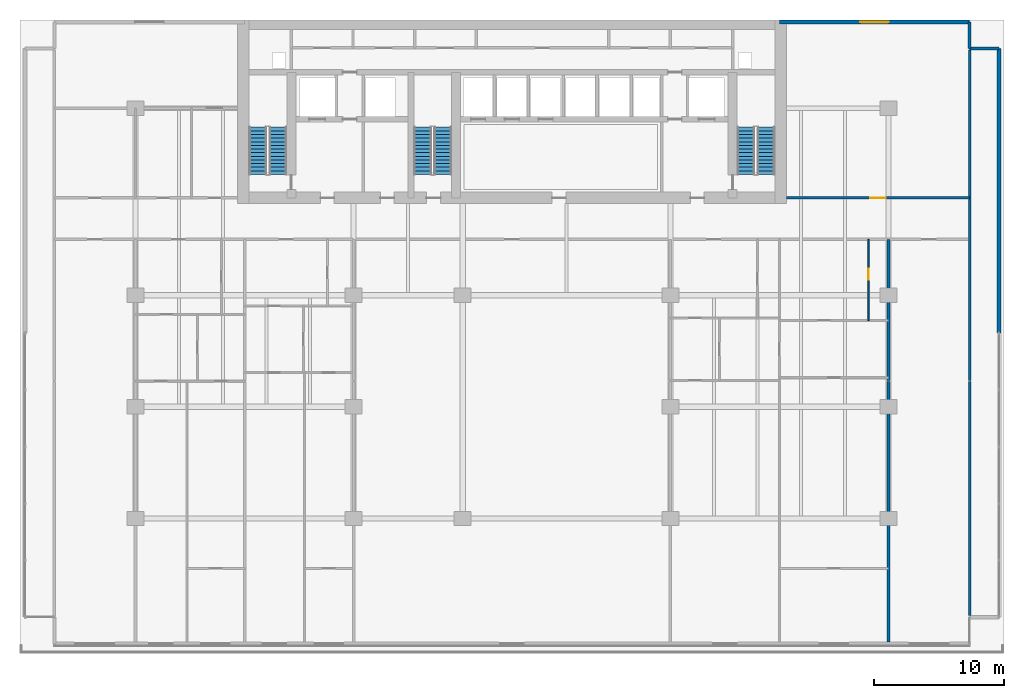
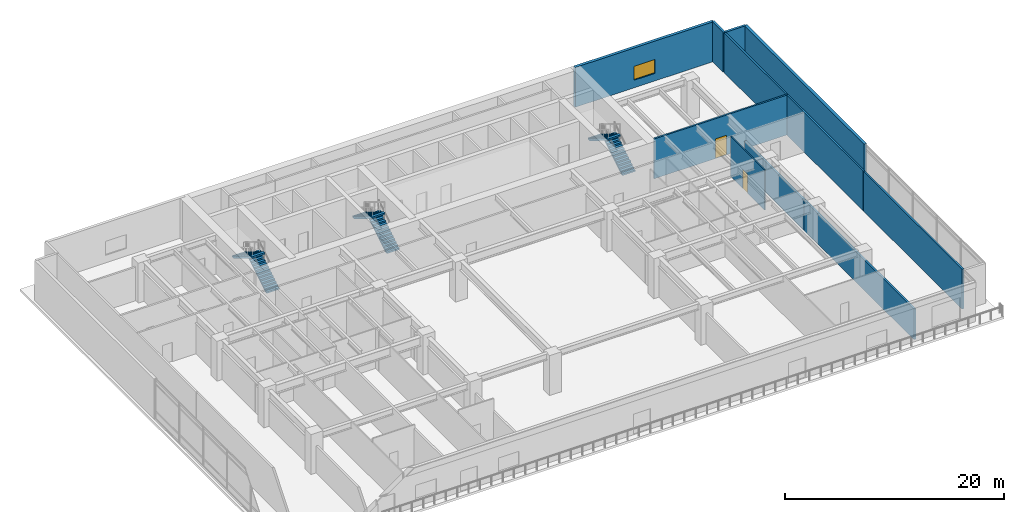
# One storey, part 10 of 13: 10 walls, 6 stair flights, 2 doors, 1 window, 3 openings, 3 elements without a shape of their own.
"""IFC4 building model written with IfcOpenShell, lengths in metres."""

from ifc_helpers import new_model, si_unit, direction, frame, frame_2d, origin, place, context, subcontext, project, spatial, polyline, rectangle, outline, extrude, material, layer, layer_set, type_object, element, fill, aggregate, save


model = new_model("IFC4")

# Units and contexts
model_context = context("Model", 3, precision=1e-05, world=origin(), true_north=direction((0.0, 1.0)))
body_context = subcontext(model_context, "Body", "Model", "MODEL_VIEW")
ifc_project = project(units=[si_unit("LENGTHUNIT", "METRE"), si_unit("AREAUNIT", "SQUARE_METRE"), si_unit("VOLUMEUNIT", "CUBIC_METRE"), si_unit("PLANEANGLEUNIT", "RADIAN"), si_unit("MASSUNIT", "GRAM", prefix="KILO")], contexts=[model_context])

# Site, building, storey
site_placement = place(None, origin())
site = spatial("IfcSite", under=ifc_project, at=site_placement, CompositionType="ELEMENT")
building_placement = place(site_placement, origin())
building = spatial("IfcBuilding", under=site, at=building_placement, Name="Caelmar Bay Residences", CompositionType="ELEMENT")
storey_placement = place(building_placement, frame((0.0, 0.0, 19.800048828125)))
storey = spatial("IfcBuildingStorey", under=building, at=storey_placement, Name="L04", CompositionType="ELEMENT", Elevation=19.800048828125)

# Walls
ifc_material_1 = material(Name="Double-stud acoustic fire-rated gypsum partition 180 mm")
ifc_layer_1 = layer(ifc_material_1, 0.179931640625)
ifc_layer_set_1 = layer_set([ifc_layer_1], Name="Double-stud acoustic fire-rated gypsum partition 180 mm")
wall_type_1 = type_object("IfcWallType", Name="W-COR-200", PredefinedType="PARTITIONING", material=ifc_layer_set_1)
wall_1_placement = place(storey_placement, frame((74.14990234375, 4.719970703125, 0.0), z_axis=(0.0, 0.0, 1.0), x_axis=(0.0, 1.0, 0.0)))
element("IfcWall", 1, at=wall_1_placement, inside=storey, type_object=wall_type_1, Name="L04 Partition Wall V047", PredefinedType="PARTITIONING", context=body_context, shape_type="SweptSolid", body=[
    extrude(rectangle(XDim=18.050048828125, YDim=0.179931640625, at=frame_2d((9.02490234375, 0.0))), origin(), (0.0, 0.0, 1.0), 4.449951171875),
])
wall_2_placement = place(storey_placement, frame((74.14990234375, 22.840087890625, 0.0), z_axis=(0.0, 0.0, 1.0), x_axis=(0.0, 1.0, 0.0)))
element("IfcWall", 2, at=wall_2_placement, inside=storey, type_object=wall_type_1, Name="L04 Partition Wall V048", PredefinedType="PARTITIONING", context=body_context, shape_type="SweptSolid", body=[
    extrude(rectangle(XDim=25.43994140625, YDim=0.179931640625, at=frame_2d((12.719970703125, 0.0))), origin(), (0.0, 0.0, 1.0), 4.449951171875),
])

# Wall, opening, door
wall_3_placement = place(storey_placement, frame((60.054931640625, 36.89990234375, 0.0), z_axis=(0.0, 0.0, 1.0), x_axis=(1.0, 0.0, 0.0)))
wall_3 = element("IfcWall", 3, at=wall_3_placement, inside=storey, type_object=wall_type_1, Name="L04 Partition Wall H063", PredefinedType="PARTITIONING", context=body_context, shape_type="SweptSolid", body=[
    extrude(rectangle(XDim=14.094970703125, YDim=0.179931640625, at=frame_2d((7.04736328125, 0.0))), origin(), (0.0, 0.0, 1.0), 4.449951171875),
])
opening_1_placement = place(wall_3_placement, frame((6.447509765625, 0.0, 0.0)))
opening_1 = element("IfcOpeningElement", 4, at=opening_1_placement, cuts=wall_3, Name="Opening D-L04-153", PredefinedType="OPENING", context=body_context, shape_type="SweptSolid", body=[
    extrude(rectangle(XDim=1.199951171875, YDim=2.199951171875, at=frame_2d((0.60009765625, 1.10009765625))), frame((0.0, 0.099853515625, 0.0), z_axis=(0.0, -1.0, 0.0), x_axis=(1.0, 0.0, 0.0)), (0.0, 0.0, 1.0), 0.199951171875),
])
ifc_material_2 = material(Name="Fire-rated steel and walnut architectural door assembly", Category="steel")
ifc_layer_2 = layer(ifc_material_2, 0.050048828125)
ifc_layer_set_2 = layer_set([ifc_layer_2], Name="Fire-rated steel and walnut architectural door assembly")
door_type_1 = type_object("IfcDoorType", Name="D-PLANT-1200", OperationType="NOTDEFINED", PredefinedType="DOOR", material=ifc_layer_set_2)
door_1_placement = place(opening_1_placement, origin())
door_1 = element("IfcDoor", 5, at=door_1_placement, inside=storey, type_object=door_type_1, Name="L04 Podium L04 East Fan Plant Room Door", OperationType="SINGLE_SWING_LEFT", OverallHeight=2.199951171875, OverallWidth=1.199951171875, PredefinedType="DOOR", context=body_context, shape_type="SweptSolid", body=[
    extrude(rectangle(XDim=1.199951171875, YDim=2.199951171875, at=frame_2d((0.60009765625, 1.10009765625))), frame((0.0, 0.02490234375, 0.0), z_axis=(0.0, -1.0, 0.0), x_axis=(1.0, 0.0, 0.0)), (0.0, 0.0, 1.0), 0.050048828125),
])
fill(opening_1, door_1)

# Walls
ifc_material_3 = material(Name="Precast concrete f'c 40 MPa (6,000 psi)", Category="concrete")
ifc_layer_3 = layer(ifc_material_3, 0.25)
ifc_layer_set_3 = layer_set([ifc_layer_3], Name="Precast concrete f'c 40 MPa (6,000 psi)")
wall_type_2 = type_object("IfcWallType", Name="W-EXT-250", PredefinedType="ELEMENTEDWALL", material=ifc_layer_set_3)
wall_4_placement = place(storey_placement, frame((74.14990234375, 50.449951171875, 0.0), z_axis=(0.0, 0.0, 1.0), x_axis=(0.0, -1.0, 0.0)))
element("IfcWall", 6, at=wall_4_placement, inside=storey, type_object=wall_type_2, Name="L04 NNE-V Notch Wall", PredefinedType="ELEMENTEDWALL", context=body_context, shape_type="SweptSolid", body=[
    extrude(rectangle(XDim=2.050048828125, YDim=0.25, at=frame_2d((1.02490234375, 0.0))), origin(), (0.0, 0.0, 1.0), 4.449951171875),
])
wall_5_placement = place(storey_placement, frame((74.14990234375, 48.39990234375, 0.0), z_axis=(0.0, 0.0, 1.0), x_axis=(1.0, 0.0, 0.0)))
element("IfcWall", 7, at=wall_5_placement, inside=storey, type_object=wall_type_2, Name="L04 NNE-H Notch Wall", PredefinedType="ELEMENTEDWALL", context=body_context, shape_type="SweptSolid", body=[
    extrude(rectangle(XDim=2.25, YDim=0.25, at=frame_2d((1.125, 0.0))), origin(), (0.0, 0.0, 1.0), 4.449951171875),
])
ifc_layer_4 = layer(ifc_material_3, 0.300048828125)
ifc_layer_set_4 = layer_set([ifc_layer_4], Name="Precast concrete f'c 40 MPa (6,000 psi)")
wall_type_3 = type_object("IfcWallType", Name="W-EXT-300", PredefinedType="STANDARD", material=ifc_layer_set_4)
wall_6_placement = place(storey_placement, frame((76.39990234375, 48.39990234375, 0.0), z_axis=(0.0, 0.0, 1.0), x_axis=(0.0, -1.0, 0.0)))
element("IfcWall", 8, at=wall_6_placement, inside=storey, type_object=wall_type_3, Name="L04 East Rear Exterior Wall", PredefinedType="STANDARD", context=body_context, shape_type="SweptSolid", body=[
    extrude(rectangle(XDim=21.89990234375, YDim=0.300048828125, at=frame_2d((10.949951171875, 0.0))), origin(), (0.0, 0.0, 1.0), 4.449951171875),
])

# Wall, opening, window
wall_7_placement = place(storey_placement, frame((59.5, 50.449951171875, 0.0), z_axis=(0.0, 0.0, 1.0), x_axis=(1.0, 0.0, 0.0)))
wall_7 = element("IfcWall", 9, at=wall_7_placement, inside=storey, type_object=wall_type_3, Name="L04 North-East Wing Exterior Wall", PredefinedType="STANDARD", context=body_context, shape_type="SweptSolid", body=[
    extrude(rectangle(XDim=14.64990234375, YDim=0.300048828125, at=frame_2d((7.324951171875, 0.0))), origin(), (0.0, 0.0, 1.0), 4.449951171875),
])
opening_2_placement = place(wall_7_placement, frame((6.22509765625, 0.0, 0.85009765625)))
opening_2 = element("IfcOpeningElement", 10, at=opening_2_placement, cuts=wall_7, Name="Opening WN2", PredefinedType="OPENING", context=body_context, shape_type="SweptSolid", body=[
    extrude(rectangle(XDim=2.199951171875, YDim=1.550048828125, at=frame_2d((1.10009765625, 0.77490234375))), frame((0.0, 0.159912109375, 0.0), z_axis=(0.0, -1.0, 0.0), x_axis=(1.0, 0.0, 0.0)), (0.0, 0.0, 1.0), 0.320068359375),
])
ifc_material_4 = material(Name="Bronze aluminium frame with laminated low-E glass", Category="aluminium")
ifc_layer_5 = layer(ifc_material_4, 0.06005859375)
ifc_layer_set_5 = layer_set([ifc_layer_5], Name="Bronze aluminium frame with laminated low-E glass")
window_type = type_object("IfcWindowType", Name="WIN-BR-2200", PartitioningType="SINGLE_PANEL", PredefinedType="WINDOW", material=ifc_layer_set_5)
window_placement = place(opening_2_placement, origin())
window = element("IfcWindow", 11, at=window_placement, inside=storey, type_object=window_type, Name="L04 North-East Studio Window", OverallHeight=1.550048828125, OverallWidth=2.199951171875, PartitioningType="SINGLE_PANEL", PredefinedType="WINDOW", context=body_context, shape_type="SweptSolid", body=[
    extrude(rectangle(XDim=2.199951171875, YDim=1.550048828125, at=frame_2d((1.10009765625, 0.77490234375))), frame((0.0, 0.030029296875, 0.0), z_axis=(0.0, -1.0, 0.0), x_axis=(1.0, 0.0, 0.0)), (0.0, 0.0, 1.0), 0.06005859375),
])
fill(opening_2, window)

# Wall, opening, door
ifc_material_5 = material(Name="Acoustic metal-stud gypsum partition 120 mm")
ifc_layer_6 = layer(ifc_material_5, 0.1201171875)
ifc_layer_set_6 = layer_set([ifc_layer_6], Name="Acoustic metal-stud gypsum partition 120 mm")
wall_type_4 = type_object("IfcWallType", Name="W-PRT-120", PredefinedType="PARTITIONING", material=ifc_layer_set_6)
wall_8_placement = place(storey_placement, frame((66.365966796875, 27.43994140625, 0.0), z_axis=(0.0, 0.0, 1.0), x_axis=(0.0, 1.0, 0.0)))
wall_8 = element("IfcWall", 12, at=wall_8_placement, inside=storey, type_object=wall_type_4, Name="L04 Partition Wall V044", PredefinedType="PARTITIONING", context=body_context, shape_type="SweptSolid", body=[
    extrude(rectangle(XDim=6.260009765625, YDim=0.1201171875, at=frame_2d((3.1298828125, 0.0))), origin(), (0.0, 0.0, 1.0), 4.449951171875),
])
opening_3_placement = place(wall_8_placement, frame((3.155029296875, 0.0, 0.0)))
opening_3 = element("IfcOpeningElement", 13, at=opening_3_placement, cuts=wall_8, Name="Opening D-L04-146", PredefinedType="OPENING", context=body_context, shape_type="SweptSolid", body=[
    extrude(rectangle(XDim=0.85009765625, YDim=2.10009765625, at=frame_2d((0.425048828125, 1.050048828125))), frame((0.0, 0.070068359375, 0.0), z_axis=(0.0, -1.0, 0.0), x_axis=(1.0, 0.0, 0.0)), (0.0, 0.0, 1.0), 0.14013671875),
])
ifc_material_6 = material(Name="Solid walnut timber interior door leaf and frame", Category="wood")
ifc_layer_7 = layer(ifc_material_6, 0.050048828125)
ifc_layer_set_7 = layer_set([ifc_layer_7], Name="Solid walnut timber interior door leaf and frame")
door_type_2 = type_object("IfcDoorType", Name="D-BATH-850", OperationType="NOTDEFINED", PredefinedType="DOOR", material=ifc_layer_set_7)
door_2_placement = place(opening_3_placement, origin())
door_2 = element("IfcDoor", 14, at=door_2_placement, inside=storey, type_object=door_type_2, Name="L04 Residence 4C En-Suite Bathroom 1 Door", OperationType="SINGLE_SWING_RIGHT", OverallHeight=2.10009765625, OverallWidth=0.85009765625, PredefinedType="DOOR", context=body_context, shape_type="SweptSolid", body=[
    extrude(rectangle(XDim=0.85009765625, YDim=2.10009765625, at=frame_2d((0.425048828125, 1.050048828125))), frame((0.0, 0.02490234375, 0.0), z_axis=(0.0, -1.0, 0.0), x_axis=(1.0, 0.0, 0.0)), (0.0, 0.0, 1.0), 0.050048828125),
])
fill(opening_3, door_2)

# Walls
ifc_material_7 = material(Name="Acoustic twin-stud fire-rated inter-tenancy partition 200 mm")
ifc_layer_8 = layer(ifc_material_7, 0.199951171875)
ifc_layer_set_8 = layer_set([ifc_layer_8], Name="Acoustic twin-stud fire-rated inter-tenancy partition 200 mm")
wall_type_5 = type_object("IfcWallType", Name="W-PTY-200", PredefinedType="PARTITIONING", material=ifc_layer_set_8)
wall_9_placement = place(storey_placement, frame((67.89990234375, 2.695068359375, 0.0), z_axis=(0.0, 0.0, 1.0), x_axis=(0.0, 1.0, 0.0)))
element("IfcWall", 15, at=wall_9_placement, inside=storey, type_object=wall_type_5, Name="L04 Partition Wall V045", PredefinedType="PARTITIONING", context=body_context, shape_type="SweptSolid", body=[
    extrude(rectangle(XDim=20.074951171875, YDim=0.199951171875, at=frame_2d((10.03759765625, 0.0))), origin(), (0.0, 0.0, 1.0), 3.4140625),
])
wall_10_placement = place(storey_placement, frame((67.89990234375, 22.840087890625, 0.0), z_axis=(0.0, 0.0, 1.0), x_axis=(0.0, 1.0, 0.0)))
element("IfcWall", 16, at=wall_10_placement, inside=storey, type_object=wall_type_5, Name="L04 Partition Wall V046", PredefinedType="PARTITIONING", context=body_context, shape_type="SweptSolid", body=[
    extrude(rectangle(XDim=10.85986328125, YDim=0.199951171875, at=frame_2d((5.429931640625, 0.0))), origin(), (0.0, 0.0, 1.0), 3.4140625),
])

# Stair, stair flights
ifc_material_8 = material(Name="Concrete f'c 40 MPa (6,000 psi)", Category="concrete")
stair_type = type_object("IfcStairType", Name="ST-TAL-170", PredefinedType="HALF_TURN_STAIR", material=ifc_material_8)
stair_1_placement = place(storey_placement, origin())
stair_1 = element("IfcStair", 17, at=stair_1_placement, inside=storey, type_object=stair_type, Name="L04 West Smokeproof Exit Stair ST1", PredefinedType="HALF_TURN_STAIR")
stair_flight_type = type_object("IfcStairFlightType", Name="STF-1400", PredefinedType="STRAIGHT", material=ifc_material_3)
stair_flight_1_placement = place(storey_placement, frame((20.875, 38.699951171875, 0.0), z_axis=(0.0, 0.0, 1.0), x_axis=(0.0, 1.0, 0.0)))
stair_flight_1 = element("IfcStairFlight", 18, at=stair_flight_1_placement, type_object=stair_flight_type, Name="ST1 flight 1", NumberOfRisers=14, NumberOfTreads=13, PredefinedType="STRAIGHT", RiserHeight=0.171428571, TreadLength=0.28, context=body_context, shape_type="SweptSolid", body=[
    extrude(outline(polyline([(0.0, 0.0), (0.0, 0.17138671875), (0.280029296875, 0.17138671875), (0.280029296875, 0.3427734375), (0.56005859375, 0.3427734375), (0.56005859375, 0.514404296875), (0.840087890625, 0.514404296875), (0.840087890625, 0.685791015625), (1.1201171875, 0.685791015625), (1.1201171875, 0.857177734375), (1.39990234375, 0.857177734375), (1.39990234375, 1.028564453125), (1.679931640625, 1.028564453125), (1.679931640625, 1.199951171875), (1.9599609375, 1.199951171875), (1.9599609375, 1.371337890625), (2.239990234375, 1.371337890625), (2.239990234375, 1.54296875), (2.52001953125, 1.54296875), (2.52001953125, 1.71435546875), (2.800048828125, 1.71435546875), (2.800048828125, 1.8857421875), (3.080078125, 1.8857421875), (3.080078125, 2.05712890625), (3.360107421875, 2.05712890625), (3.360107421875, 2.228515625), (3.639892578125, 2.228515625), (3.639892578125, 2.39990234375), (3.639892578125, 2.052734375), (0.287109375, 0.0), (0.0, 0.0)])), frame((0.0, 0.675048828125, 0.0), z_axis=(0.0, -1.0, 0.0), x_axis=(1.0, 0.0, 0.0)), (0.0, 0.0, 1.0), 1.35009765625),
])
stair_flight_2_placement = place(storey_placement, frame((19.324951171875, 42.340087890625, 2.39990234375), z_axis=(0.0, 0.0, 1.0), x_axis=(0.0, -1.0, 0.0)))
stair_flight_2 = element("IfcStairFlight", 19, at=stair_flight_2_placement, type_object=stair_flight_type, Name="ST1 flight 2", NumberOfRisers=14, NumberOfTreads=13, PredefinedType="STRAIGHT", RiserHeight=0.171428571, TreadLength=0.28, context=body_context, shape_type="SweptSolid", body=[
    extrude(outline(polyline([(0.0, 0.0), (0.0, 0.17138671875), (0.280029296875, 0.17138671875), (0.280029296875, 0.3427734375), (0.56005859375, 0.3427734375), (0.56005859375, 0.514404296875), (0.840087890625, 0.514404296875), (0.840087890625, 0.685791015625), (1.1201171875, 0.685791015625), (1.1201171875, 0.857177734375), (1.39990234375, 0.857177734375), (1.39990234375, 1.028564453125), (1.679931640625, 1.028564453125), (1.679931640625, 1.199951171875), (1.9599609375, 1.199951171875), (1.9599609375, 1.371337890625), (2.239990234375, 1.371337890625), (2.239990234375, 1.54296875), (2.52001953125, 1.54296875), (2.52001953125, 1.71435546875), (2.800048828125, 1.71435546875), (2.800048828125, 1.8857421875), (3.080078125, 1.8857421875), (3.080078125, 2.05712890625), (3.360107421875, 2.05712890625), (3.360107421875, 2.228515625), (3.639892578125, 2.228515625), (3.639892578125, 2.39990234375), (3.639892578125, 2.052734375), (0.287109375, 0.0), (0.0, 0.0)])), frame((0.0, 0.675048828125, 0.0), z_axis=(0.0, -1.0, 0.0), x_axis=(1.0, 0.0, 0.0)), (0.0, 0.0, 1.0), 1.35009765625),
])
aggregate(stair_1, [stair_flight_1, stair_flight_2])

stair_2_placement = place(storey_placement, origin())
stair_2 = element("IfcStair", 20, at=stair_2_placement, inside=storey, type_object=stair_type, Name="L04 East Smokeproof Exit Stair ST2", PredefinedType="HALF_TURN_STAIR")
stair_flight_3_placement = place(storey_placement, frame((58.47509765625, 38.699951171875, 0.0), z_axis=(0.0, 0.0, 1.0), x_axis=(0.0, 1.0, 0.0)))
stair_flight_3 = element("IfcStairFlight", 21, at=stair_flight_3_placement, type_object=stair_flight_type, Name="ST2 flight 1", NumberOfRisers=14, NumberOfTreads=13, PredefinedType="STRAIGHT", RiserHeight=0.171428571, TreadLength=0.28, context=body_context, shape_type="SweptSolid", body=[
    extrude(outline(polyline([(0.0, 0.0), (0.0, 0.17138671875), (0.280029296875, 0.17138671875), (0.280029296875, 0.3427734375), (0.56005859375, 0.3427734375), (0.56005859375, 0.514404296875), (0.840087890625, 0.514404296875), (0.840087890625, 0.685791015625), (1.1201171875, 0.685791015625), (1.1201171875, 0.857177734375), (1.39990234375, 0.857177734375), (1.39990234375, 1.028564453125), (1.679931640625, 1.028564453125), (1.679931640625, 1.199951171875), (1.9599609375, 1.199951171875), (1.9599609375, 1.371337890625), (2.239990234375, 1.371337890625), (2.239990234375, 1.54296875), (2.52001953125, 1.54296875), (2.52001953125, 1.71435546875), (2.800048828125, 1.71435546875), (2.800048828125, 1.8857421875), (3.080078125, 1.8857421875), (3.080078125, 2.05712890625), (3.360107421875, 2.05712890625), (3.360107421875, 2.228515625), (3.639892578125, 2.228515625), (3.639892578125, 2.39990234375), (3.639892578125, 2.052734375), (0.287109375, 0.0), (0.0, 0.0)])), frame((0.0, 0.675048828125, 0.0), z_axis=(0.0, -1.0, 0.0), x_axis=(1.0, 0.0, 0.0)), (0.0, 0.0, 1.0), 1.35009765625),
])
stair_flight_4_placement = place(storey_placement, frame((56.925048828125, 42.340087890625, 2.39990234375), z_axis=(0.0, 0.0, 1.0), x_axis=(0.0, -1.0, 0.0)))
stair_flight_4 = element("IfcStairFlight", 22, at=stair_flight_4_placement, type_object=stair_flight_type, Name="ST2 flight 2", NumberOfRisers=14, NumberOfTreads=13, PredefinedType="STRAIGHT", RiserHeight=0.171428571, TreadLength=0.28, context=body_context, shape_type="SweptSolid", body=[
    extrude(outline(polyline([(0.0, 0.0), (0.0, 0.17138671875), (0.280029296875, 0.17138671875), (0.280029296875, 0.3427734375), (0.56005859375, 0.3427734375), (0.56005859375, 0.514404296875), (0.840087890625, 0.514404296875), (0.840087890625, 0.685791015625), (1.1201171875, 0.685791015625), (1.1201171875, 0.857177734375), (1.39990234375, 0.857177734375), (1.39990234375, 1.028564453125), (1.679931640625, 1.028564453125), (1.679931640625, 1.199951171875), (1.9599609375, 1.199951171875), (1.9599609375, 1.371337890625), (2.239990234375, 1.371337890625), (2.239990234375, 1.54296875), (2.52001953125, 1.54296875), (2.52001953125, 1.71435546875), (2.800048828125, 1.71435546875), (2.800048828125, 1.8857421875), (3.080078125, 1.8857421875), (3.080078125, 2.05712890625), (3.360107421875, 2.05712890625), (3.360107421875, 2.228515625), (3.639892578125, 2.228515625), (3.639892578125, 2.39990234375), (3.639892578125, 2.052734375), (0.287109375, 0.0), (0.0, 0.0)])), frame((0.0, 0.675048828125, 0.0), z_axis=(0.0, -1.0, 0.0), x_axis=(1.0, 0.0, 0.0)), (0.0, 0.0, 1.0), 1.35009765625),
])
aggregate(stair_2, [stair_flight_3, stair_flight_4])

stair_3_placement = place(storey_placement, origin())
stair_3 = element("IfcStair", 23, at=stair_3_placement, inside=storey, type_object=stair_type, Name="L04 Central Smokeproof Exit Stair ST3", PredefinedType="HALF_TURN_STAIR")
stair_flight_5_placement = place(storey_placement, frame((33.574951171875, 38.699951171875, 0.0), z_axis=(0.0, 0.0, 1.0), x_axis=(0.0, 1.0, 0.0)))
stair_flight_5 = element("IfcStairFlight", 24, at=stair_flight_5_placement, type_object=stair_flight_type, Name="ST3 flight 1", NumberOfRisers=14, NumberOfTreads=13, PredefinedType="STRAIGHT", RiserHeight=0.171428571, TreadLength=0.28, context=body_context, shape_type="SweptSolid", body=[
    extrude(outline(polyline([(0.0, 0.0), (0.0, 0.17138671875), (0.280029296875, 0.17138671875), (0.280029296875, 0.3427734375), (0.56005859375, 0.3427734375), (0.56005859375, 0.514404296875), (0.840087890625, 0.514404296875), (0.840087890625, 0.685791015625), (1.1201171875, 0.685791015625), (1.1201171875, 0.857177734375), (1.39990234375, 0.857177734375), (1.39990234375, 1.028564453125), (1.679931640625, 1.028564453125), (1.679931640625, 1.199951171875), (1.9599609375, 1.199951171875), (1.9599609375, 1.371337890625), (2.239990234375, 1.371337890625), (2.239990234375, 1.54296875), (2.52001953125, 1.54296875), (2.52001953125, 1.71435546875), (2.800048828125, 1.71435546875), (2.800048828125, 1.8857421875), (3.080078125, 1.8857421875), (3.080078125, 2.05712890625), (3.360107421875, 2.05712890625), (3.360107421875, 2.228515625), (3.639892578125, 2.228515625), (3.639892578125, 2.39990234375), (3.639892578125, 2.052734375), (0.287109375, 0.0), (0.0, 0.0)])), frame((0.0, 0.675048828125, 0.0), z_axis=(0.0, -1.0, 0.0), x_axis=(1.0, 0.0, 0.0)), (0.0, 0.0, 1.0), 1.35009765625),
])
stair_flight_6_placement = place(storey_placement, frame((32.02490234375, 42.340087890625, 2.39990234375), z_axis=(0.0, 0.0, 1.0), x_axis=(0.0, -1.0, 0.0)))
stair_flight_6 = element("IfcStairFlight", 25, at=stair_flight_6_placement, type_object=stair_flight_type, Name="ST3 flight 2", NumberOfRisers=14, NumberOfTreads=13, PredefinedType="STRAIGHT", RiserHeight=0.171428571, TreadLength=0.28, context=body_context, shape_type="SweptSolid", body=[
    extrude(outline(polyline([(0.0, 0.0), (0.0, 0.17138671875), (0.280029296875, 0.17138671875), (0.280029296875, 0.3427734375), (0.56005859375, 0.3427734375), (0.56005859375, 0.514404296875), (0.840087890625, 0.514404296875), (0.840087890625, 0.685791015625), (1.1201171875, 0.685791015625), (1.1201171875, 0.857177734375), (1.39990234375, 0.857177734375), (1.39990234375, 1.028564453125), (1.679931640625, 1.028564453125), (1.679931640625, 1.199951171875), (1.9599609375, 1.199951171875), (1.9599609375, 1.371337890625), (2.239990234375, 1.371337890625), (2.239990234375, 1.54296875), (2.52001953125, 1.54296875), (2.52001953125, 1.71435546875), (2.800048828125, 1.71435546875), (2.800048828125, 1.8857421875), (3.080078125, 1.8857421875), (3.080078125, 2.05712890625), (3.360107421875, 2.05712890625), (3.360107421875, 2.228515625), (3.639892578125, 2.228515625), (3.639892578125, 2.39990234375), (3.639892578125, 2.052734375), (0.287109375, 0.0), (0.0, 0.0)])), frame((0.0, 0.675048828125, 0.0), z_axis=(0.0, -1.0, 0.0), x_axis=(1.0, 0.0, 0.0)), (0.0, 0.0, 1.0), 1.35009765625),
])
aggregate(stair_3, [stair_flight_5, stair_flight_6])

save(model, "model.ifc")
